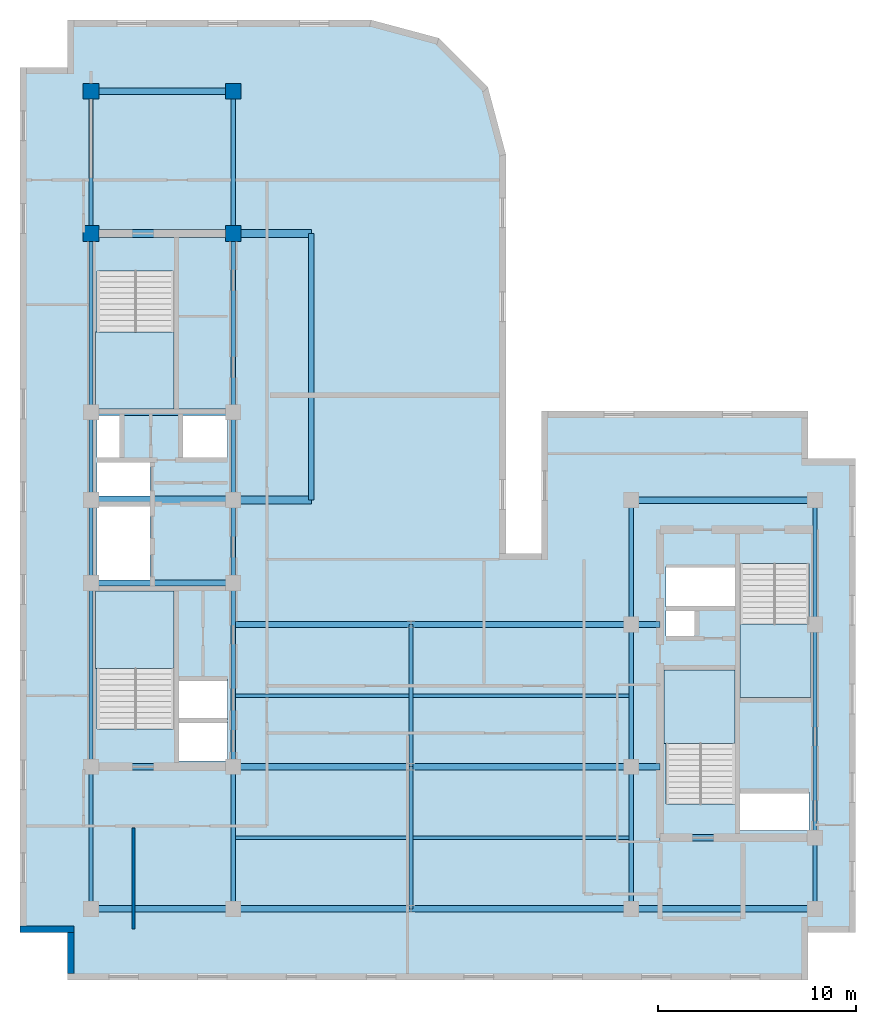
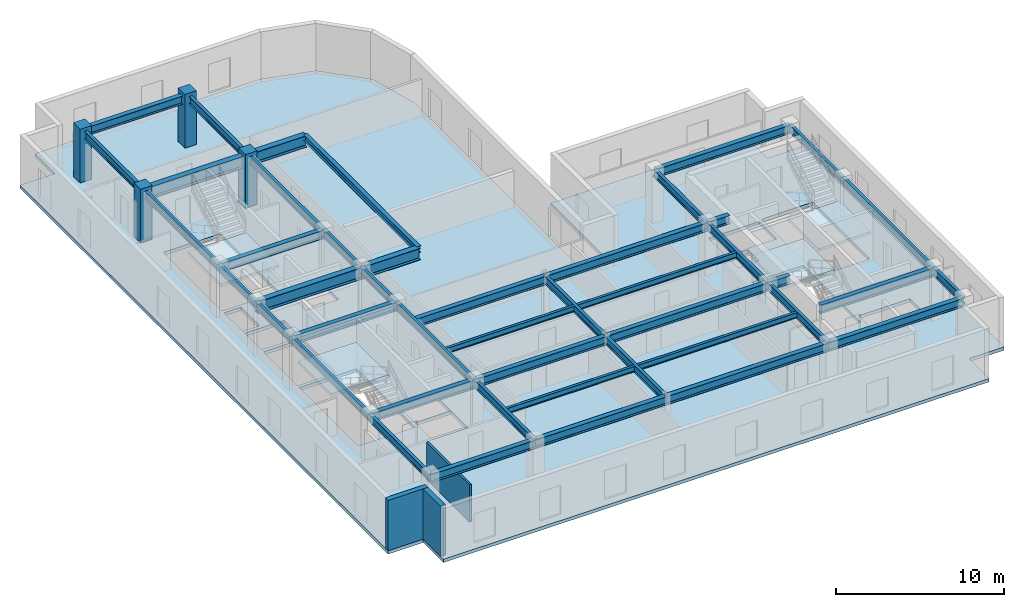
# One storey, part 2 of 9: 43 beams, 5 slabs, 4 columns, 3 walls, 4 elements without a shape of their own.
"""IFC4 building model written with IfcOpenShell, lengths in metres."""

from ifc_helpers import new_model, entity, si_unit, converted_unit, direction, frame, origin_with_axes, origin_2d_with_axis, place, context, subcontext, project, spatial, polyline, rectangle, i_section, outline, extrude, material, layer, layer_set, material_profile, profile_set, type_object, element, aggregate, save


model = new_model("IFC4")

# Units and contexts
model_context = context("Model", 3, precision=1e-05, world=origin_with_axes(), true_north=direction((0.0, 1.0)))
body_context = subcontext(model_context, "Body", "Model", "MODEL_VIEW")
ifc_project = project(units=[si_unit("LENGTHUNIT", "METRE"), si_unit("AREAUNIT", "SQUARE_METRE"), si_unit("VOLUMEUNIT", "CUBIC_METRE"), converted_unit("PLANEANGLEUNIT", "DEGREE", entity("IfcPlaneAngleMeasure", 0.017453292519943295), si_unit("PLANEANGLEUNIT", "RADIAN"), dimensions=[0, 0, 0, 0, 0, 0, 0]), si_unit("MASSUNIT", "GRAM", prefix="KILO"), si_unit("THERMODYNAMICTEMPERATUREUNIT", "KELVIN")], contexts=[model_context])

# Site, building, storey
site_placement = place(None, origin_with_axes())
site = spatial("IfcSite", under=ifc_project, at=site_placement, CompositionType="ELEMENT")
building_placement = place(site_placement, origin_with_axes())
building = spatial("IfcBuilding", under=site, at=building_placement, Name="Varnlund Millrace Tower", CompositionType="ELEMENT")
storey_placement = place(building_placement, frame((0.0, 0.0, 256.8), z_axis=(0.0, 0.0, 1.0), x_axis=(1.0, 0.0, 0.0)))
storey = spatial("IfcBuildingStorey", under=building, at=storey_placement, Name="L63", CompositionType="ELEMENT", Elevation=256.8)

# Columns
ifc_material_1 = material(Name="Concrete C60/75", Category="concrete")
ifc_material_profile_1 = material_profile(ifc_material_1, rectangle(XDim=0.8, YDim=0.8, at=origin_2d_with_axis()), Name="Concrete C60/75")
ifc_profile_set_1 = profile_set([ifc_material_profile_1], Name="Concrete C60/75")
column_type = type_object("IfcColumnType", Name="Type-Col-RC800-C60", PredefinedType="COLUMN", material=ifc_profile_set_1)
for number, where, z_axis, x_axis, name in (
    (1, (11.4, 37.8, 0.0), (0.0, 0.0, 1.0), (1.0, 0.0, 0.0), "Type-Col-RC800-C60"),
    (2, (11.4, 45.0, 0.0), (0.0, 0.0, 1.0), (1.0, 0.0, 0.0), "Type-Col-RC800-C60"),
    (3, (18.6, 37.8, 0.0), (0.0, 0.0, 1.0), (1.0, 0.0, 0.0), "Type-Col-RC800-C60"),
    (4, (18.6, 45.0, 0.0), (0.0, 0.0, 1.0), (1.0, 0.0, 0.0), "Type-Col-RC800-C60"),
):
    element("IfcColumn", number, at=place(storey_placement, frame(where, z_axis=z_axis, x_axis=x_axis)), inside=storey, type_object=column_type, Name=name, PredefinedType="COLUMN", context=body_context, shape_type="SweptSolid", body=[
        extrude(rectangle(XDim=0.8, YDim=0.8, at=origin_2d_with_axis()), origin_with_axes(), (0.0, 0.0, 1.0), 3.9),
    ])

# Beams
ifc_material_2 = material(Name="Steel ASTM A992 Grade 50", Category="steel")
ifc_material_profile_2 = material_profile(ifc_material_2, i_section(OverallWidth=0.28, OverallDepth=0.463, WebThickness=0.0108, FlangeThickness=0.0173, FilletRadius=0.015, at=origin_2d_with_axis()), Name="Steel ASTM A992 Grade 50")
ifc_profile_set_2 = profile_set([ifc_material_profile_2], Name="Steel ASTM A992 Grade 50")
beam_type_1 = type_object("IfcBeamType", Name="Type-Beam-W18X76", PredefinedType="BEAM", material=ifc_profile_set_2)
beam_1_placement = place(storey_placement, frame((22.55, 24.3, 3.4285), z_axis=(0.0, 1.0, 0.0), x_axis=(-1.0, 0.0, 0.0)))
element("IfcBeam", 5, at=beam_1_placement, inside=storey, type_object=beam_type_1, Name="Type-Beam-W18X76", PredefinedType="BEAM", context=body_context, shape_type="SweptSolid", body=[
    extrude(i_section(OverallWidth=0.28, OverallDepth=0.463, WebThickness=0.0108, FlangeThickness=0.0173, FilletRadius=0.015, at=origin_2d_with_axis()), origin_with_axes(), (0.0, 0.0, 1.0), 13.5),
])
ifc_material_profile_3 = material_profile(ifc_material_2, i_section(OverallWidth=0.214, OverallDepth=0.549, WebThickness=0.0147, FlangeThickness=0.0236, FilletRadius=0.015, at=origin_2d_with_axis()), Name="Steel ASTM A992 Grade 50")
ifc_profile_set_3 = profile_set([ifc_material_profile_3], Name="Steel ASTM A992 Grade 50")
beam_type_2 = type_object("IfcBeamType", Name="Type-Beam-W21X93", PredefinedType="BEAM", material=ifc_profile_set_3)
beam_2_placement = place(storey_placement, frame((11.4, 3.6, 3.3855), z_axis=(0.0, 1.0, 0.0), x_axis=(-1.0, 0.0, 0.0)))
element("IfcBeam", 6, at=beam_2_placement, inside=storey, type_object=beam_type_2, Name="Type-Beam-W21X93", PredefinedType="BEAM", context=body_context, shape_type="SweptSolid", body=[
    extrude(i_section(OverallWidth=0.214, OverallDepth=0.549, WebThickness=0.0147, FlangeThickness=0.0236, FilletRadius=0.015, at=origin_2d_with_axis()), origin_with_axes(), (0.0, 0.0, 1.0), 7.2),
])
beam_3_placement = place(storey_placement, frame((11.4, 10.8, 3.3855), z_axis=(0.0, 1.0, 0.0), x_axis=(-1.0, 0.0, 0.0)))
element("IfcBeam", 7, at=beam_3_placement, inside=storey, type_object=beam_type_2, Name="Type-Beam-W21X93", PredefinedType="BEAM", context=body_context, shape_type="SweptSolid", body=[
    extrude(i_section(OverallWidth=0.214, OverallDepth=0.549, WebThickness=0.0147, FlangeThickness=0.0236, FilletRadius=0.015, at=origin_2d_with_axis()), origin_with_axes(), (0.0, 0.0, 1.0), 9.3),
])
beam_4_placement = place(storey_placement, frame((11.4, 20.1, 3.3855), z_axis=(0.0, 1.0, 0.0), x_axis=(-1.0, 0.0, 0.0)))
element("IfcBeam", 8, at=beam_4_placement, inside=storey, type_object=beam_type_2, Name="Type-Beam-W21X93", PredefinedType="BEAM", context=body_context, shape_type="SweptSolid", body=[
    extrude(i_section(OverallWidth=0.214, OverallDepth=0.549, WebThickness=0.0147, FlangeThickness=0.0236, FilletRadius=0.015, at=origin_2d_with_axis()), origin_with_axes(), (0.0, 0.0, 1.0), 4.2),
])
beam_5_placement = place(storey_placement, frame((11.4, 24.3, 3.3855), z_axis=(0.0, 1.0, 0.0), x_axis=(-1.0, 0.0, 0.0)))
element("IfcBeam", 9, at=beam_5_placement, inside=storey, type_object=beam_type_2, Name="Type-Beam-W21X93", PredefinedType="BEAM", context=body_context, shape_type="SweptSolid", body=[
    extrude(i_section(OverallWidth=0.214, OverallDepth=0.549, WebThickness=0.0147, FlangeThickness=0.0236, FilletRadius=0.015, at=origin_2d_with_axis()), origin_with_axes(), (0.0, 0.0, 1.0), 4.45),
])
beam_6_placement = place(storey_placement, frame((11.4, 28.75, 3.3855), z_axis=(0.0, 1.0, 0.0), x_axis=(-1.0, 0.0, 0.0)))
element("IfcBeam", 10, at=beam_6_placement, inside=storey, type_object=beam_type_2, Name="Type-Beam-W21X93", PredefinedType="BEAM", context=body_context, shape_type="SweptSolid", body=[
    extrude(i_section(OverallWidth=0.214, OverallDepth=0.549, WebThickness=0.0147, FlangeThickness=0.0236, FilletRadius=0.015, at=origin_2d_with_axis()), origin_with_axes(), (0.0, 0.0, 1.0), 9.05),
])
for number, where, z_axis, x_axis, name in (
    (11, (11.4, 37.8, 3.3855), (0.0, 1.0, 0.0), (-1.0, 0.0, 0.0), "Type-Beam-W21X93"),
    (12, (18.6, 3.6, 3.3855), (0.0, 1.0, 0.0), (-1.0, 0.0, 0.0), "Type-Beam-W21X93"),
):
    element("IfcBeam", number, at=place(storey_placement, frame(where, z_axis=z_axis, x_axis=x_axis)), inside=storey, type_object=beam_type_2, Name=name, PredefinedType="BEAM", context=body_context, shape_type="SweptSolid", body=[
        extrude(i_section(OverallWidth=0.214, OverallDepth=0.549, WebThickness=0.0147, FlangeThickness=0.0236, FilletRadius=0.015, at=origin_2d_with_axis()), origin_with_axes(), (0.0, 0.0, 1.0), 7.2),
    ])
beam_7_placement = place(storey_placement, frame((18.6, 10.8, 3.3855), z_axis=(0.0, 1.0, 0.0), x_axis=(-1.0, 0.0, 0.0)))
element("IfcBeam", 13, at=beam_7_placement, inside=storey, type_object=beam_type_2, Name="Type-Beam-W21X93", PredefinedType="BEAM", context=body_context, shape_type="SweptSolid", body=[
    extrude(i_section(OverallWidth=0.214, OverallDepth=0.549, WebThickness=0.0147, FlangeThickness=0.0236, FilletRadius=0.015, at=origin_2d_with_axis()), origin_with_axes(), (0.0, 0.0, 1.0), 9.3),
])
beam_8_placement = place(storey_placement, frame((18.6, 20.1, 3.3855), z_axis=(0.0, 1.0, 0.0), x_axis=(-1.0, 0.0, 0.0)))
element("IfcBeam", 14, at=beam_8_placement, inside=storey, type_object=beam_type_2, Name="Type-Beam-W21X93", PredefinedType="BEAM", context=body_context, shape_type="SweptSolid", body=[
    extrude(i_section(OverallWidth=0.214, OverallDepth=0.549, WebThickness=0.0147, FlangeThickness=0.0236, FilletRadius=0.015, at=origin_2d_with_axis()), origin_with_axes(), (0.0, 0.0, 1.0), 4.2),
])
beam_9_placement = place(storey_placement, frame((18.6, 24.3, 3.3855), z_axis=(0.0, 1.0, 0.0), x_axis=(-1.0, 0.0, 0.0)))
element("IfcBeam", 15, at=beam_9_placement, inside=storey, type_object=beam_type_2, Name="Type-Beam-W21X93", PredefinedType="BEAM", context=body_context, shape_type="SweptSolid", body=[
    extrude(i_section(OverallWidth=0.214, OverallDepth=0.549, WebThickness=0.0147, FlangeThickness=0.0236, FilletRadius=0.015, at=origin_2d_with_axis()), origin_with_axes(), (0.0, 0.0, 1.0), 4.45),
])
beam_10_placement = place(storey_placement, frame((18.6, 28.75, 3.3855), z_axis=(0.0, 1.0, 0.0), x_axis=(-1.0, 0.0, 0.0)))
element("IfcBeam", 16, at=beam_10_placement, inside=storey, type_object=beam_type_2, Name="Type-Beam-W21X93", PredefinedType="BEAM", context=body_context, shape_type="SweptSolid", body=[
    extrude(i_section(OverallWidth=0.214, OverallDepth=0.549, WebThickness=0.0147, FlangeThickness=0.0236, FilletRadius=0.015, at=origin_2d_with_axis()), origin_with_axes(), (0.0, 0.0, 1.0), 9.05),
])
for number, where, z_axis, x_axis, name in (
    (17, (18.6, 37.8, 3.3855), (0.0, 1.0, 0.0), (-1.0, 0.0, 0.0), "Type-Beam-W21X93"),
    (18, (27.6, 3.6, 3.3855), (0.0, 1.0, 0.0), (-1.0, 0.0, 0.0), "Type-Beam-W21X93"),
    (19, (27.6, 10.8, 3.3855), (0.0, 1.0, 0.0), (-1.0, 0.0, 0.0), "Type-Beam-W21X93"),
    (20, (38.75, 3.6, 3.3855), (0.0, 1.0, 0.0), (-1.0, 0.0, 0.0), "Type-Beam-W21X93"),
    (21, (38.75, 10.8, 3.3855), (0.0, 1.0, 0.0), (-1.0, 0.0, 0.0), "Type-Beam-W21X93"),
):
    element("IfcBeam", number, at=place(storey_placement, frame(where, z_axis=z_axis, x_axis=x_axis)), inside=storey, type_object=beam_type_2, Name=name, PredefinedType="BEAM", context=body_context, shape_type="SweptSolid", body=[
        extrude(i_section(OverallWidth=0.214, OverallDepth=0.549, WebThickness=0.0147, FlangeThickness=0.0236, FilletRadius=0.015, at=origin_2d_with_axis()), origin_with_axes(), (0.0, 0.0, 1.0), 7.2),
    ])
beam_11_placement = place(storey_placement, frame((38.75, 18.0, 3.3855), z_axis=(0.0, 1.0, 0.0), x_axis=(-1.0, 0.0, 0.0)))
element("IfcBeam", 22, at=beam_11_placement, inside=storey, type_object=beam_type_2, Name="Type-Beam-W21X93", PredefinedType="BEAM", context=body_context, shape_type="SweptSolid", body=[
    extrude(i_section(OverallWidth=0.214, OverallDepth=0.549, WebThickness=0.0147, FlangeThickness=0.0236, FilletRadius=0.015, at=origin_2d_with_axis()), origin_with_axes(), (0.0, 0.0, 1.0), 6.3),
])
beam_12_placement = place(storey_placement, frame((48.05, 3.6, 3.3855), z_axis=(0.0, 1.0, 0.0), x_axis=(-1.0, 0.0, 0.0)))
element("IfcBeam", 23, at=beam_12_placement, inside=storey, type_object=beam_type_2, Name="Type-Beam-W21X93", PredefinedType="BEAM", context=body_context, shape_type="SweptSolid", body=[
    extrude(i_section(OverallWidth=0.214, OverallDepth=0.549, WebThickness=0.0147, FlangeThickness=0.0236, FilletRadius=0.015, at=origin_2d_with_axis()), origin_with_axes(), (0.0, 0.0, 1.0), 3.6),
])
beam_13_placement = place(storey_placement, frame((48.05, 7.2, 3.3855), z_axis=(0.0, 1.0, 0.0), x_axis=(-1.0, 0.0, 0.0)))
element("IfcBeam", 24, at=beam_13_placement, inside=storey, type_object=beam_type_2, Name="Type-Beam-W21X93", PredefinedType="BEAM", context=body_context, shape_type="SweptSolid", body=[
    extrude(i_section(OverallWidth=0.214, OverallDepth=0.549, WebThickness=0.0147, FlangeThickness=0.0236, FilletRadius=0.015, at=origin_2d_with_axis()), origin_with_axes(), (0.0, 0.0, 1.0), 10.8),
])
beam_14_placement = place(storey_placement, frame((48.05, 18.0, 3.3855), z_axis=(0.0, 1.0, 0.0), x_axis=(-1.0, 0.0, 0.0)))
element("IfcBeam", 25, at=beam_14_placement, inside=storey, type_object=beam_type_2, Name="Type-Beam-W21X93", PredefinedType="BEAM", context=body_context, shape_type="SweptSolid", body=[
    extrude(i_section(OverallWidth=0.214, OverallDepth=0.549, WebThickness=0.0147, FlangeThickness=0.0236, FilletRadius=0.015, at=origin_2d_with_axis()), origin_with_axes(), (0.0, 0.0, 1.0), 6.3),
])
ifc_material_profile_4 = material_profile(ifc_material_2, i_section(OverallWidth=0.324, OverallDepth=0.611, WebThickness=0.0127, FlangeThickness=0.0191, FilletRadius=0.016, at=origin_2d_with_axis()), Name="Steel ASTM A992 Grade 50")
ifc_profile_set_4 = profile_set([ifc_material_profile_4], Name="Steel ASTM A992 Grade 50")
beam_type_3 = type_object("IfcBeamType", Name="Type-Girder-W24X104", PredefinedType="USERDEFINED", material=ifc_profile_set_4)
beam_15_placement = place(storey_placement, frame((11.4, 3.6, 3.3545), z_axis=(1.0, 0.0, 0.0), x_axis=(0.0, 1.0, 0.0)))
element("IfcBeam", 26, at=beam_15_placement, inside=storey, type_object=beam_type_3, Name="Type-Girder-W24X104", ObjectType="GIRDER", PredefinedType="USERDEFINED", context=body_context, shape_type="SweptSolid", body=[
    extrude(i_section(OverallWidth=0.324, OverallDepth=0.611, WebThickness=0.0127, FlangeThickness=0.0191, FilletRadius=0.016, at=origin_2d_with_axis()), origin_with_axes(), (0.0, 0.0, 1.0), 7.2),
])
beam_16_placement = place(storey_placement, frame((18.6, 3.6, 3.3545), z_axis=(1.0, 0.0, 0.0), x_axis=(0.0, 1.0, 0.0)))
element("IfcBeam", 27, at=beam_16_placement, inside=storey, type_object=beam_type_3, Name="Type-Girder-W24X104", ObjectType="GIRDER", PredefinedType="USERDEFINED", context=body_context, shape_type="SweptSolid", body=[
    extrude(i_section(OverallWidth=0.324, OverallDepth=0.611, WebThickness=0.0127, FlangeThickness=0.0191, FilletRadius=0.016, at=origin_2d_with_axis()), origin_with_axes(), (0.0, 0.0, 1.0), 9.0),
])
beam_17_placement = place(storey_placement, frame((27.6, 3.6, 3.3545), z_axis=(1.0, 0.0, 0.0), x_axis=(0.0, 1.0, 0.0)))
element("IfcBeam", 28, at=beam_17_placement, inside=storey, type_object=beam_type_3, Name="Type-Girder-W24X104", ObjectType="GIRDER", PredefinedType="USERDEFINED", context=body_context, shape_type="SweptSolid", body=[
    extrude(i_section(OverallWidth=0.324, OverallDepth=0.611, WebThickness=0.0127, FlangeThickness=0.0191, FilletRadius=0.016, at=origin_2d_with_axis()), origin_with_axes(), (0.0, 0.0, 1.0), 11.15),
])
beam_18_placement = place(storey_placement, frame((38.75, 3.6, 3.3545), z_axis=(1.0, 0.0, 0.0), x_axis=(0.0, 1.0, 0.0)))
element("IfcBeam", 29, at=beam_18_placement, inside=storey, type_object=beam_type_3, Name="Type-Girder-W24X104", ObjectType="GIRDER", PredefinedType="USERDEFINED", context=body_context, shape_type="SweptSolid", body=[
    extrude(i_section(OverallWidth=0.324, OverallDepth=0.611, WebThickness=0.0127, FlangeThickness=0.0191, FilletRadius=0.016, at=origin_2d_with_axis()), origin_with_axes(), (0.0, 0.0, 1.0), 9.3),
])
beam_19_placement = place(storey_placement, frame((40.2, 7.2, 3.3545), z_axis=(1.0, 0.0, 0.0), x_axis=(0.0, 1.0, 0.0)))
element("IfcBeam", 30, at=beam_19_placement, inside=storey, type_object=beam_type_3, Name="Type-Girder-W24X104", ObjectType="GIRDER", PredefinedType="USERDEFINED", context=body_context, shape_type="SweptSolid", body=[
    extrude(i_section(OverallWidth=0.324, OverallDepth=0.611, WebThickness=0.0127, FlangeThickness=0.0191, FilletRadius=0.016, at=origin_2d_with_axis()), origin_with_axes(), (0.0, 0.0, 1.0), 7.85),
])
beam_20_placement = place(storey_placement, frame((11.4, 10.8, 3.3545), z_axis=(1.0, 0.0, 0.0), x_axis=(0.0, 1.0, 0.0)))
element("IfcBeam", 31, at=beam_20_placement, inside=storey, type_object=beam_type_3, Name="Type-Girder-W24X104", ObjectType="GIRDER", PredefinedType="USERDEFINED", context=body_context, shape_type="SweptSolid", body=[
    extrude(i_section(OverallWidth=0.324, OverallDepth=0.611, WebThickness=0.0127, FlangeThickness=0.0191, FilletRadius=0.016, at=origin_2d_with_axis()), origin_with_axes(), (0.0, 0.0, 1.0), 7.2),
])
beam_21_placement = place(storey_placement, frame((18.6, 10.8, 3.3545), z_axis=(1.0, 0.0, 0.0), x_axis=(0.0, 1.0, 0.0)))
element("IfcBeam", 32, at=beam_21_placement, inside=storey, type_object=beam_type_3, Name="Type-Girder-W24X104", ObjectType="GIRDER", PredefinedType="USERDEFINED", context=body_context, shape_type="SweptSolid", body=[
    extrude(i_section(OverallWidth=0.324, OverallDepth=0.611, WebThickness=0.0127, FlangeThickness=0.0191, FilletRadius=0.016, at=origin_2d_with_axis()), origin_with_axes(), (0.0, 0.0, 1.0), 9.0),
])
beam_22_placement = place(storey_placement, frame((27.6, 10.8, 3.3545), z_axis=(1.0, 0.0, 0.0), x_axis=(0.0, 1.0, 0.0)))
element("IfcBeam", 33, at=beam_22_placement, inside=storey, type_object=beam_type_3, Name="Type-Girder-W24X104", ObjectType="GIRDER", PredefinedType="USERDEFINED", context=body_context, shape_type="SweptSolid", body=[
    extrude(i_section(OverallWidth=0.324, OverallDepth=0.611, WebThickness=0.0127, FlangeThickness=0.0191, FilletRadius=0.016, at=origin_2d_with_axis()), origin_with_axes(), (0.0, 0.0, 1.0), 11.15),
])
beam_23_placement = place(storey_placement, frame((38.75, 10.8, 3.3545), z_axis=(1.0, 0.0, 0.0), x_axis=(0.0, 1.0, 0.0)))
element("IfcBeam", 34, at=beam_23_placement, inside=storey, type_object=beam_type_3, Name="Type-Girder-W24X104", ObjectType="GIRDER", PredefinedType="USERDEFINED", context=body_context, shape_type="SweptSolid", body=[
    extrude(i_section(OverallWidth=0.324, OverallDepth=0.611, WebThickness=0.0127, FlangeThickness=0.0191, FilletRadius=0.016, at=origin_2d_with_axis()), origin_with_axes(), (0.0, 0.0, 1.0), 1.45),
])
beam_24_placement = place(storey_placement, frame((18.6, 18.0, 3.3545), z_axis=(1.0, 0.0, 0.0), x_axis=(0.0, 1.0, 0.0)))
element("IfcBeam", 35, at=beam_24_placement, inside=storey, type_object=beam_type_3, Name="Type-Girder-W24X104", ObjectType="GIRDER", PredefinedType="USERDEFINED", context=body_context, shape_type="SweptSolid", body=[
    extrude(i_section(OverallWidth=0.324, OverallDepth=0.611, WebThickness=0.0127, FlangeThickness=0.0191, FilletRadius=0.016, at=origin_2d_with_axis()), origin_with_axes(), (0.0, 0.0, 1.0), 9.0),
])
beam_25_placement = place(storey_placement, frame((27.6, 18.0, 3.3545), z_axis=(1.0, 0.0, 0.0), x_axis=(0.0, 1.0, 0.0)))
element("IfcBeam", 36, at=beam_25_placement, inside=storey, type_object=beam_type_3, Name="Type-Girder-W24X104", ObjectType="GIRDER", PredefinedType="USERDEFINED", context=body_context, shape_type="SweptSolid", body=[
    extrude(i_section(OverallWidth=0.324, OverallDepth=0.611, WebThickness=0.0127, FlangeThickness=0.0191, FilletRadius=0.016, at=origin_2d_with_axis()), origin_with_axes(), (0.0, 0.0, 1.0), 11.15),
])
beam_26_placement = place(storey_placement, frame((38.75, 18.0, 3.3545), z_axis=(1.0, 0.0, 0.0), x_axis=(0.0, 1.0, 0.0)))
element("IfcBeam", 37, at=beam_26_placement, inside=storey, type_object=beam_type_3, Name="Type-Girder-W24X104", ObjectType="GIRDER", PredefinedType="USERDEFINED", context=body_context, shape_type="SweptSolid", body=[
    extrude(i_section(OverallWidth=0.324, OverallDepth=0.611, WebThickness=0.0127, FlangeThickness=0.0191, FilletRadius=0.016, at=origin_2d_with_axis()), origin_with_axes(), (0.0, 0.0, 1.0), 1.45),
])
beam_27_placement = place(storey_placement, frame((11.4, 20.1, 3.3545), z_axis=(1.0, 0.0, 0.0), x_axis=(0.0, 1.0, 0.0)))
element("IfcBeam", 38, at=beam_27_placement, inside=storey, type_object=beam_type_3, Name="Type-Girder-W24X104", ObjectType="GIRDER", PredefinedType="USERDEFINED", context=body_context, shape_type="SweptSolid", body=[
    extrude(i_section(OverallWidth=0.324, OverallDepth=0.611, WebThickness=0.0127, FlangeThickness=0.0191, FilletRadius=0.016, at=origin_2d_with_axis()), origin_with_axes(), (0.0, 0.0, 1.0), 7.2),
])
beam_28_placement = place(storey_placement, frame((38.75, 24.3, 3.3545), z_axis=(1.0, 0.0, 0.0), x_axis=(0.0, 1.0, 0.0)))
element("IfcBeam", 39, at=beam_28_placement, inside=storey, type_object=beam_type_3, Name="Type-Girder-W24X104", ObjectType="GIRDER", PredefinedType="USERDEFINED", context=body_context, shape_type="SweptSolid", body=[
    extrude(i_section(OverallWidth=0.324, OverallDepth=0.611, WebThickness=0.0127, FlangeThickness=0.0191, FilletRadius=0.016, at=origin_2d_with_axis()), origin_with_axes(), (0.0, 0.0, 1.0), 9.3),
])
for number, where, z_axis, x_axis, name in (
    (40, (11.4, 28.75, 3.3545), (1.0, 0.0, 0.0), (0.0, 1.0, 0.0), "Type-Girder-W24X104"),
    (41, (11.4, 45.0, 3.3545), (1.0, 0.0, 0.0), (0.0, 1.0, 0.0), "Type-Girder-W24X104"),
):
    element("IfcBeam", number, at=place(storey_placement, frame(where, z_axis=z_axis, x_axis=x_axis)), inside=storey, type_object=beam_type_3, Name=name, ObjectType="GIRDER", PredefinedType="USERDEFINED", context=body_context, shape_type="SweptSolid", body=[
        extrude(i_section(OverallWidth=0.324, OverallDepth=0.611, WebThickness=0.0127, FlangeThickness=0.0191, FilletRadius=0.016, at=origin_2d_with_axis()), origin_with_axes(), (0.0, 0.0, 1.0), 7.2),
    ])
ifc_material_profile_5 = material_profile(ifc_material_2, i_section(OverallWidth=0.399, OverallDepth=0.855, WebThickness=0.0182, FlangeThickness=0.0292, FilletRadius=0.022, at=origin_2d_with_axis()), Name="Steel ASTM A992 Grade 50")
ifc_profile_set_5 = profile_set([ifc_material_profile_5], Name="Steel ASTM A992 Grade 50")
beam_type_4 = type_object("IfcBeamType", Name="Type-Girder-W33X201", PredefinedType="USERDEFINED", material=ifc_profile_set_5)
for number, where, z_axis, x_axis, name in (
    (42, (11.4, 24.3, 3.2325), (1.0, 0.0, 0.0), (0.0, 1.0, 0.0), "Type-Girder-W33X201"),
    (43, (11.4, 37.8, 3.2325), (1.0, 0.0, 0.0), (0.0, 1.0, 0.0), "Type-Girder-W33X201"),
):
    element("IfcBeam", number, at=place(storey_placement, frame(where, z_axis=z_axis, x_axis=x_axis)), inside=storey, type_object=beam_type_4, Name=name, ObjectType="GIRDER", PredefinedType="USERDEFINED", context=body_context, shape_type="SweptSolid", body=[
        extrude(i_section(OverallWidth=0.399, OverallDepth=0.855, WebThickness=0.0182, FlangeThickness=0.0292, FilletRadius=0.022, at=origin_2d_with_axis()), origin_with_axes(), (0.0, 0.0, 1.0), 11.15),
    ])
ifc_material_profile_6 = material_profile(ifc_material_2, i_section(OverallWidth=0.178, OverallDepth=0.403, WebThickness=0.0075, FlangeThickness=0.0109, FilletRadius=0.011, at=origin_2d_with_axis()), Name="Steel ASTM A992 Grade 50")
ifc_profile_set_6 = profile_set([ifc_material_profile_6], Name="Steel ASTM A992 Grade 50")
beam_type_5 = type_object("IfcBeamType", Name="Type-Joist-W16X36", PredefinedType="JOIST", material=ifc_profile_set_6)
for number, where, z_axis, x_axis, name in (
    (44, (18.707, 7.2, 3.4585), (1.0, 0.0, 0.0), (0.0, 1.0, 0.0), "Type-Joist-W16X36"),
    (45, (18.707, 14.4, 3.4585), (1.0, 0.0, 0.0), (0.0, 1.0, 0.0), "Type-Joist-W16X36"),
):
    element("IfcBeam", number, at=place(storey_placement, frame(where, z_axis=z_axis, x_axis=x_axis)), inside=storey, type_object=beam_type_5, Name=name, PredefinedType="JOIST", context=body_context, shape_type="SweptSolid", body=[
        extrude(i_section(OverallWidth=0.178, OverallDepth=0.403, WebThickness=0.0075, FlangeThickness=0.0109, FilletRadius=0.011, at=origin_2d_with_axis()), origin_with_axes(), (0.0, 0.0, 1.0), 8.786),
    ])
for number, where, z_axis, x_axis, name in (
    (46, (27.707, 7.2, 3.4585), (1.0, 0.0, 0.0), (0.0, 1.0, 0.0), "Type-Joist-W16X36"),
    (47, (27.707, 14.4, 3.4585), (1.0, 0.0, 0.0), (0.0, 1.0, 0.0), "Type-Joist-W16X36"),
):
    element("IfcBeam", number, at=place(storey_placement, frame(where, z_axis=z_axis, x_axis=x_axis)), inside=storey, type_object=beam_type_5, Name=name, PredefinedType="JOIST", context=body_context, shape_type="SweptSolid", body=[
        extrude(i_section(OverallWidth=0.178, OverallDepth=0.403, WebThickness=0.0075, FlangeThickness=0.0109, FilletRadius=0.011, at=origin_2d_with_axis()), origin_with_axes(), (0.0, 0.0, 1.0), 10.936),
    ])

# Slab
ifc_layer_1 = layer(ifc_material_1, 0.24, Name="Concrete C60/75")
ifc_layer_set_1 = layer_set([ifc_layer_1], Name="Concrete C60/75")
slab_type_1 = type_object("IfcSlabType", Name="Type-Deck-Plate-Typical-240", PredefinedType="FLOOR", material=ifc_layer_set_1)
slab_1_placement = place(storey_placement, frame((0.0, 0.0, -0.24), z_axis=(0.0, 0.0, 1.0), x_axis=(1.0, 0.0, 0.0)))
element("IfcSlab", 48, at=slab_1_placement, inside=storey, type_object=slab_type_1, Name="Type-Deck-Plate-Typical-240", PredefinedType="FLOOR", context=body_context, shape_type="SweptSolid", body=[
    extrude(outline(polyline([(32.4, 21.6), (32.4, 41.8), (31.489, 45.2), (29.0, 47.689), (25.6, 48.6), (10.2, 48.6), (10.2, 46.2), (7.8, 46.2), (7.8, 2.4), (10.2, 2.4), (10.2, 0.0), (47.7, 0.0), (47.7, 2.4), (50.1, 2.4), (50.1, 26.4), (47.7, 26.4), (47.7, 28.8), (34.2, 28.8), (34.2, 21.6), (32.4, 21.6)]), holes=[polyline([(18.3, 13.1), (18.3, 11.1), (15.84, 11.1), (15.84, 13.1), (18.3, 13.1)]), polyline([(15.6, 12.715), (11.7, 12.715), (11.7, 19.7), (15.6, 19.7), (15.6, 12.715)]), polyline([(11.7, 19.94), (11.7, 23.98), (14.38, 23.98), (14.38, 19.94), (11.7, 19.94)]), polyline([(14.38, 24.24), (11.7, 24.24), (11.7, 26.2), (14.38, 26.2), (14.38, 24.24)]), polyline([(12.84, 26.46), (11.7, 26.46), (11.7, 28.65), (12.84, 28.65), (12.84, 26.46)]), polyline([(15.6, 28.9), (11.7, 28.9), (11.7, 35.885), (15.6, 35.885), (15.6, 28.9)]), polyline([(47.75, 9.52), (47.75, 7.58), (44.25, 7.58), (44.25, 9.52), (47.75, 9.52)]), polyline([(44.0, 8.915), (40.5, 8.915), (40.5, 15.7), (44.0, 15.7), (44.0, 8.915)]), polyline([(18.3, 13.16), (15.84, 13.16), (15.84, 15.24), (18.3, 15.24), (18.3, 13.16)]), polyline([(47.75, 14.3), (44.25, 14.3), (44.25, 21.085), (47.75, 21.085), (47.75, 14.3)]), polyline([(41.95, 17.42), (40.5, 17.42), (40.5, 18.72), (41.95, 18.72), (41.95, 17.42)]), polyline([(44.0, 18.88), (40.5, 18.88), (40.5, 20.94), (44.0, 20.94), (44.0, 18.88)]), polyline([(18.3, 26.46), (16.04, 26.46), (16.04, 28.65), (18.3, 28.65), (18.3, 26.46)])]), origin_with_axes(), (0.0, 0.0, 1.0), 0.24),
])

# Stair, slab
ifc_material_3 = material(Name="Concrete C50/60", Category="concrete")
stair_type_1 = type_object("IfcStairType", Name="Type-Stair-Dogleg-185-390", PredefinedType="HALF_TURN_STAIR", material=ifc_material_3)
stair_1_placement = place(storey_placement, origin_with_axes())
stair_1 = element("IfcStair", 49, at=stair_1_placement, inside=storey, type_object=stair_type_1, Name="Type-Stair-Dogleg-185-390", PredefinedType="HALF_TURN_STAIR")
ifc_layer_2 = layer(ifc_material_3, 0.2, Name="Concrete C50/60")
ifc_layer_set_2 = layer_set([ifc_layer_2], Name="Concrete C50/60")
slab_type_2 = type_object("IfcSlabType", Name="Type-StairLanding-200", PredefinedType="LANDING", material=ifc_layer_set_2)
slab_2_placement = place(storey_placement, frame((0.0, 0.0, 1.75), z_axis=(0.0, 0.0, 1.0), x_axis=(1.0, 0.0, 0.0)))
slab_2 = element("IfcSlab", 50, at=slab_2_placement, type_object=slab_type_2, Name="ST-A1 landing 1", PredefinedType="LANDING", context=body_context, shape_type="SweptSolid", body=[
    extrude(outline(polyline([(15.6, 15.78), (15.6, 19.7), (11.61, 19.7), (11.61, 15.78), (15.6, 15.78)])), origin_with_axes(), (0.0, 0.0, 1.0), 0.2),
])
aggregate(stair_1, [slab_2])

stair_2_placement = place(storey_placement, origin_with_axes())
stair_2 = element("IfcStair", 51, at=stair_2_placement, inside=storey, type_object=stair_type_1, Name="Type-Stair-Dogleg-185-390", PredefinedType="HALF_TURN_STAIR")
slab_3_placement = place(storey_placement, frame((0.0, 0.0, 1.75), z_axis=(0.0, 0.0, 1.0), x_axis=(1.0, 0.0, 0.0)))
slab_3 = element("IfcSlab", 52, at=slab_3_placement, type_object=slab_type_2, Name="ST-A2 landing 1", PredefinedType="LANDING", context=body_context, shape_type="SweptSolid", body=[
    extrude(outline(polyline([(11.61, 32.82), (11.61, 28.9), (15.6, 28.9), (15.6, 32.82), (11.61, 32.82)])), origin_with_axes(), (0.0, 0.0, 1.0), 0.2),
])
aggregate(stair_2, [slab_3])

stair_type_2 = type_object("IfcStairType", Name="Type-Stair-Dogleg-165-390", PredefinedType="HALF_TURN_STAIR", material=ifc_material_3)
stair_3_placement = place(storey_placement, origin_with_axes())
stair_3 = element("IfcStair", 53, at=stair_3_placement, inside=storey, type_object=stair_type_2, Name="Type-Stair-Dogleg-165-390", PredefinedType="HALF_TURN_STAIR")
slab_4_placement = place(storey_placement, frame((0.0, 0.0, 1.75), z_axis=(0.0, 0.0, 1.0), x_axis=(1.0, 0.0, 0.0)))
slab_4 = element("IfcSlab", 54, at=slab_4_placement, type_object=slab_type_2, Name="ST-B1 landing 1", PredefinedType="LANDING", context=body_context, shape_type="SweptSolid", body=[
    extrude(outline(polyline([(44.0, 11.98), (44.0, 15.7), (40.41, 15.7), (40.41, 11.98), (44.0, 11.98)])), origin_with_axes(), (0.0, 0.0, 1.0), 0.2),
])
aggregate(stair_3, [slab_4])

stair_4_placement = place(storey_placement, origin_with_axes())
stair_4 = element("IfcStair", 55, at=stair_4_placement, inside=storey, type_object=stair_type_2, Name="Type-Stair-Dogleg-165-390", PredefinedType="HALF_TURN_STAIR")
slab_5_placement = place(storey_placement, frame((0.0, 0.0, 1.75), z_axis=(0.0, 0.0, 1.0), x_axis=(1.0, 0.0, 0.0)))
slab_5 = element("IfcSlab", 56, at=slab_5_placement, type_object=slab_type_2, Name="ST-B2 landing 1", PredefinedType="LANDING", context=body_context, shape_type="SweptSolid", body=[
    extrude(outline(polyline([(44.25, 18.02), (44.25, 14.3), (47.84, 14.3), (47.84, 18.02), (44.25, 18.02)])), origin_with_axes(), (0.0, 0.0, 1.0), 0.2),
])
aggregate(stair_4, [slab_5])

# Walls
ifc_material_4 = material(Name="Precast concrete C50/60", Category="concrete")
ifc_layer_3 = layer(ifc_material_4, 0.34, Name="Precast concrete C50/60")
ifc_layer_set_3 = layer_set([ifc_layer_3], Name="Precast concrete C50/60")
wall_type_1 = type_object("IfcWallType", Name="Type-ExtWall-Precast-Upper-340", PredefinedType="SOLIDWALL", material=ifc_layer_set_3)
wall_1_placement = place(storey_placement, frame((10.37, 0.34, 0.0), z_axis=(0.0, 0.0, 1.0), x_axis=(0.0, 1.0, 0.0)))
element("IfcWall", 57, at=wall_1_placement, inside=storey, type_object=wall_type_1, Name="Type-ExtWall-Precast-Upper-340", PredefinedType="SOLIDWALL", context=body_context, shape_type="SweptSolid", body=[
    extrude(outline(polyline([(0.0, -0.17), (2.06, -0.17), (2.06, 0.17), (0.0, 0.17), (0.0, -0.17)])), origin_with_axes(), (0.0, 0.0, 1.0), 3.66),
])
wall_2_placement = place(storey_placement, frame((10.54, 2.57, 0.0), z_axis=(0.0, 0.0, 1.0), x_axis=(-1.0, 0.0, 0.0)))
element("IfcWall", 58, at=wall_2_placement, inside=storey, type_object=wall_type_1, Name="Type-ExtWall-Precast-Upper-340", PredefinedType="SOLIDWALL", context=body_context, shape_type="SweptSolid", body=[
    extrude(outline(polyline([(0.0, -0.17), (2.74, -0.17), (2.74, 0.17), (0.0, 0.17), (0.0, -0.17)])), origin_with_axes(), (0.0, 0.0, 1.0), 3.66),
])
ifc_material_5 = material(Name="Acoustic STC-50 gypsum board partition", Category="gypsum")
ifc_layer_4 = layer(ifc_material_5, 0.15, Name="Acoustic STC-50 gypsum board partition")
ifc_layer_set_4 = layer_set([ifc_layer_4], Name="Acoustic STC-50 gypsum board partition")
wall_type_2 = type_object("IfcWallType", Name="Type-Partition-Demising-150", PredefinedType="PARTITIONING", material=ifc_layer_set_4)
wall_3_placement = place(storey_placement, frame((13.554, 2.58, 0.0), z_axis=(0.0, 0.0, 1.0), x_axis=(0.0, 1.0, 0.0)))
element("IfcWall", 59, at=wall_3_placement, inside=storey, type_object=wall_type_2, Name="Type-Partition-Demising-150", PredefinedType="PARTITIONING", context=body_context, shape_type="SweptSolid", body=[
    extrude(outline(polyline([(0.0, -0.075), (5.12, -0.075), (5.12, 0.075), (0.0, 0.075), (0.0, -0.075)])), origin_with_axes(), (0.0, 0.0, 1.0), 2.7),
])

save(model, "model.ifc")
